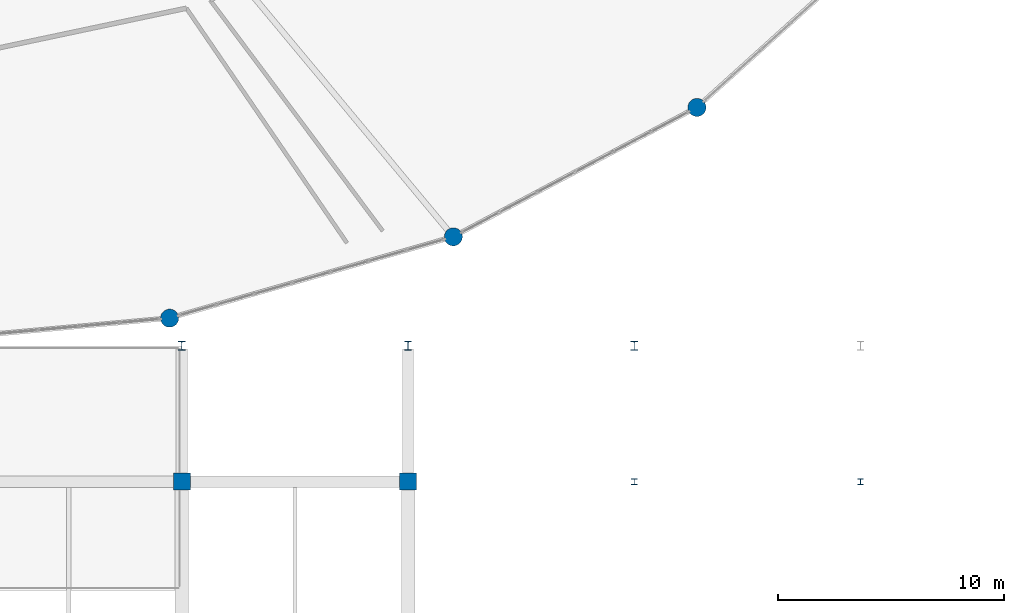
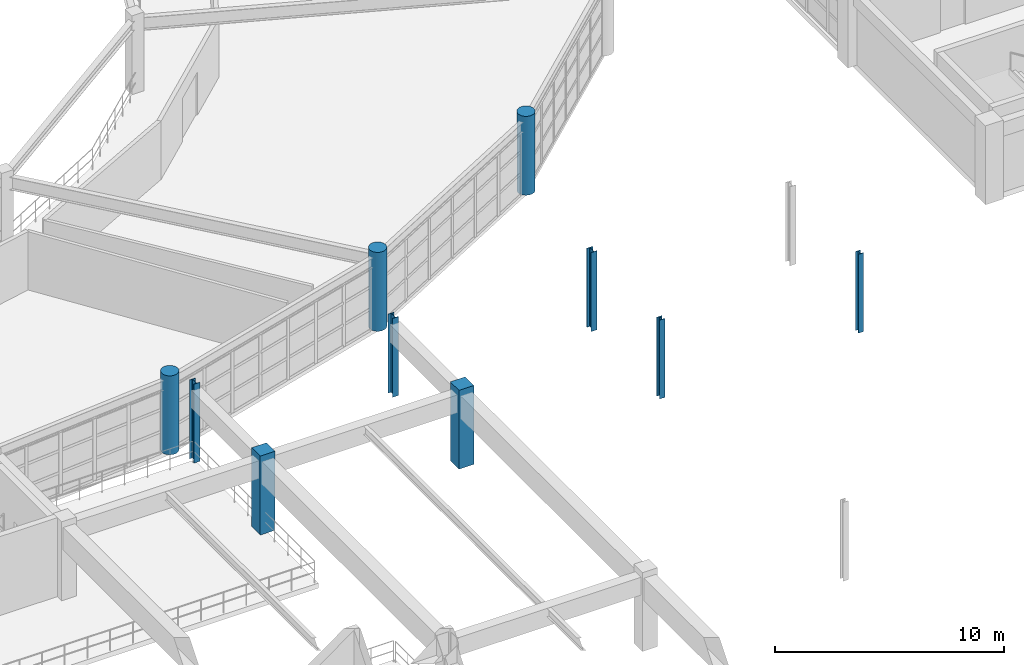
# One storey, part 8 of 100: 10 columns.
"""IFC4 building model written with IfcOpenShell, lengths in metres."""

from ifc_helpers import new_model, si_unit, direction, frame, origin, origin_2d, place, context, subcontext, project, spatial, rectangle, circle, i_section, extrude, material, material_profile, profile_set, type_object, element, save


model = new_model("IFC4")

# Units and contexts
model_context = context("Model", 3, precision=1e-05, world=origin(), true_north=direction((0.0, 1.0)))
body_context = subcontext(model_context, "Body", "Model", "MODEL_VIEW")
ifc_project = project(units=[si_unit("LENGTHUNIT", "METRE"), si_unit("AREAUNIT", "SQUARE_METRE"), si_unit("VOLUMEUNIT", "CUBIC_METRE"), si_unit("PLANEANGLEUNIT", "RADIAN"), si_unit("MASSUNIT", "GRAM", prefix="KILO")], contexts=[model_context])

# Site, building, storey
site_placement = place(None, origin())
site = spatial("IfcSite", under=ifc_project, at=site_placement, CompositionType="ELEMENT")
building_placement = place(site_placement, origin())
building = spatial("IfcBuilding", under=site, at=building_placement, Name="Kivolera Central Railway Station", CompositionType="ELEMENT")
storey_placement = place(building_placement, frame((0.0, 0.0, 5.39990234375)))
storey = spatial("IfcBuildingStorey", under=building, at=storey_placement, Name="L01", CompositionType="ELEMENT", Elevation=5.39990234375)

# Columns
ifc_material_1 = material(Name="Concrete C40/50", Category="concrete")
ifc_material_profile_1 = material_profile(ifc_material_1, rectangle(XDim=0.75, YDim=0.75, at=origin_2d()), Name="RC 750x750")
ifc_profile_set_1 = profile_set([ifc_material_profile_1], Name="Concrete C40/50")
column_type_1 = type_object("IfcColumnType", Name="COL-RC-750", PredefinedType="COLUMN", material=ifc_profile_set_1)
for number, where, z_axis, x_axis, name in (
    (1, (78.0, 48.0, 0.0), (0.0, 0.0, 1.0), (1.0, 0.0, 0.0), "L01 Train Shed Column 8-D"),
    (2, (88.0, 48.0, 0.0), (0.0, 0.0, 1.0), (1.0, 0.0, 0.0), "L01 Train Shed Column 9-D"),
):
    element("IfcColumn", number, at=place(storey_placement, frame(where, z_axis=z_axis, x_axis=x_axis)), inside=storey, type_object=column_type_1, Name=name, PredefinedType="COLUMN", context=body_context, shape_type="SweptSolid", body=[
        extrude(rectangle(XDim=0.75, YDim=0.75, at=origin_2d()), origin(), (0.0, 0.0, 1.0), 4.2001953125),
    ])
ifc_material_profile_2 = material_profile(ifc_material_1, circle(Radius=0.39990234375, at=origin_2d()), Name="RC D800")
ifc_profile_set_2 = profile_set([ifc_material_profile_2], Name="Concrete C40/50")
column_type_2 = type_object("IfcColumnType", Name="COL-RC-D800", PredefinedType="COLUMN", material=ifc_profile_set_2)
for number, where, z_axis, x_axis, name in (
    (3, (77.458984375, 55.22705078125, 0.0), (0.0, 0.0, 1.0), (1.0, 0.0, 0.0), "L01 Oval Drum Perimeter Column P20"),
    (4, (90.0, 58.822998046875, 0.0), (0.0, 0.0, 1.0), (1.0, 0.0, 0.0), "L01 Oval Drum Perimeter Column P21"),
    (5, (100.77001953125, 64.5439453125, 0.0), (0.0, 0.0, 1.0), (1.0, 0.0, 0.0), "L01 Oval Drum Perimeter Column P22"),
):
    element("IfcColumn", number, at=place(storey_placement, frame(where, z_axis=z_axis, x_axis=x_axis)), inside=storey, type_object=column_type_2, Name=name, PredefinedType="COLUMN", context=body_context, shape_type="SweptSolid", body=[
        extrude(circle(Radius=0.39990234375, at=origin_2d()), origin(), (0.0, 0.0, 1.0), 4.2001953125),
    ])
ifc_material_2 = material(Name="Steel S355", Category="steel")
ifc_material_profile_3 = material_profile(ifc_material_2, i_section(OverallWidth=0.300048828125, OverallDepth=0.39990234375, WebThickness=0.013427734375, FlangeThickness=0.02392578125, FilletRadius=0.027099609375, at=origin_2d()), Name="HEB 400")
ifc_profile_set_3 = profile_set([ifc_material_profile_3], Name="Steel S355")
column_type_3 = type_object("IfcColumnType", Name="COL-STL-HEB400", PredefinedType="COLUMN", material=ifc_profile_set_3)
for number, where, z_axis, x_axis, name in (
    (6, (78.0, 54.0, 0.0), (0.0, 0.0, 1.0), (1.0, 0.0, 0.0), "L01 Train Shed Threshold Column 8-E"),
    (7, (88.0, 54.0, 0.0), (0.0, 0.0, 1.0), (1.0, 0.0, 0.0), "L01 Train Shed Threshold Column 9-E"),
    (8, (98.0, 54.0, 0.0), (0.0, 0.0, 1.0), (1.0, 0.0, 0.0), "L01 Train Shed Threshold Column 10-E"),
):
    element("IfcColumn", number, at=place(storey_placement, frame(where, z_axis=z_axis, x_axis=x_axis)), inside=storey, type_object=column_type_3, Name=name, PredefinedType="COLUMN", context=body_context, shape_type="SweptSolid", body=[
        extrude(i_section(OverallWidth=0.300048828125, OverallDepth=0.39990234375, WebThickness=0.013427734375, FlangeThickness=0.02392578125, FilletRadius=0.027099609375, at=origin_2d()), origin(), (0.0, 0.0, 1.0), 4.2001953125),
    ])
ifc_material_profile_4 = material_profile(ifc_material_2, i_section(OverallWidth=0.25634765625, OverallDepth=0.26025390625, WebThickness=0.01025390625, FlangeThickness=0.017333984375, FilletRadius=0.0126953125, at=origin_2d()), Name="UC 254x254x89")
ifc_profile_set_4 = profile_set([ifc_material_profile_4], Name="Steel S355")
column_type_4 = type_object("IfcColumnType", Name="COL-STL-UC254", PredefinedType="COLUMN", material=ifc_profile_set_4)
for number, where, z_axis, x_axis, name in (
    (9, (98.0, 48.0, 0.0), (0.0, 0.0, 1.0), (1.0, 0.0, 0.0), "L01 Train Shed Column 10-D"),
    (10, (108.0, 48.0, 0.0), (0.0, 0.0, 1.0), (1.0, 0.0, 0.0), "L01 Train Shed Column 11-D"),
):
    element("IfcColumn", number, at=place(storey_placement, frame(where, z_axis=z_axis, x_axis=x_axis)), inside=storey, type_object=column_type_4, Name=name, PredefinedType="COLUMN", context=body_context, shape_type="SweptSolid", body=[
        extrude(i_section(OverallWidth=0.25634765625, OverallDepth=0.26025390625, WebThickness=0.01025390625, FlangeThickness=0.017333984375, FilletRadius=0.0126953125, at=origin_2d()), origin(), (0.0, 0.0, 1.0), 4.2001953125),
    ])

save(model, "model.ifc")
